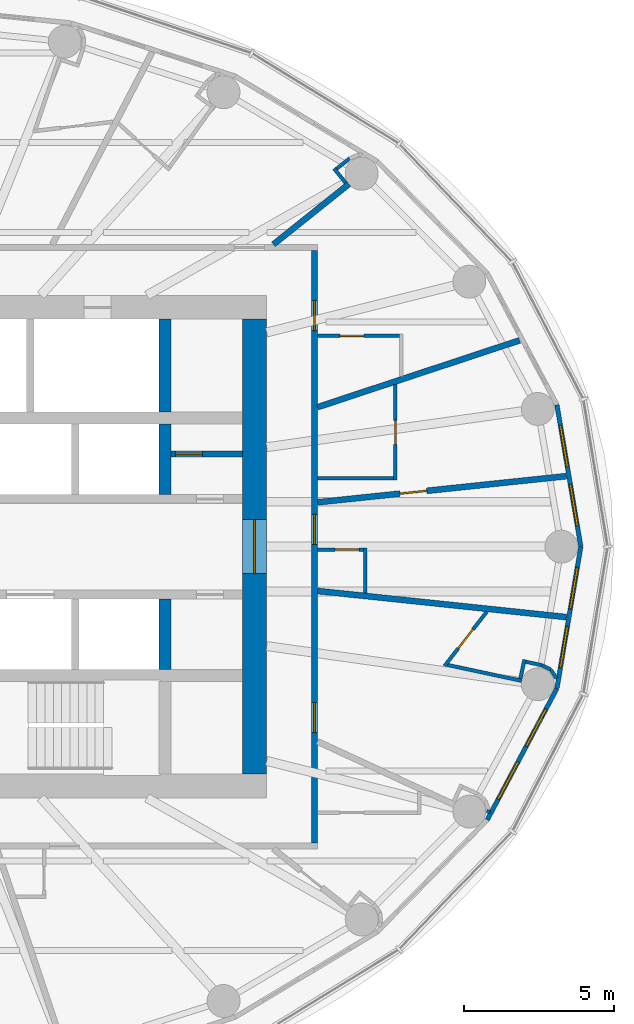
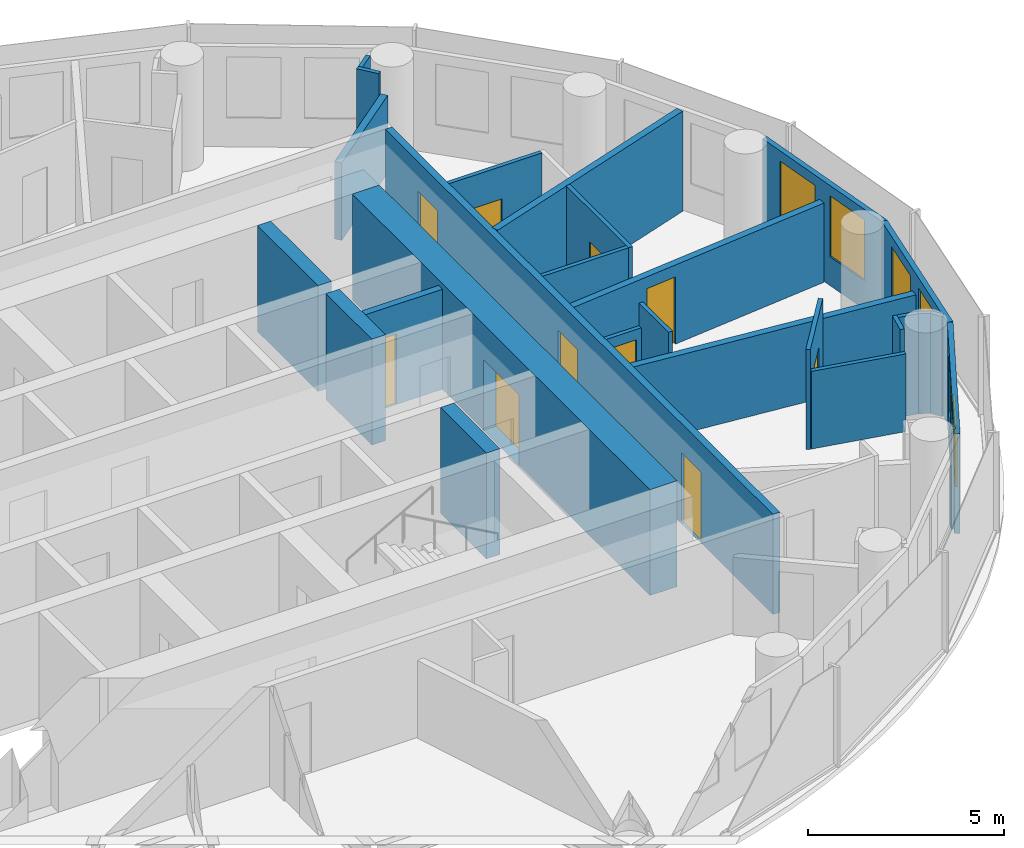
# One storey, part 11 of 16: 27 walls, 10 doors, 6 windows, 16 openings.
"""IFC4 building model written with IfcOpenShell, lengths in metres."""

from ifc_helpers import new_model, si_unit, direction, frame, frame_2d, origin, place, context, subcontext, project, spatial, rectangle, extrude, material, layer, layer_set, type_object, element, fill, save


model = new_model("IFC4")

# Units and contexts
model_context = context("Model", 3, precision=1e-05, world=origin(), true_north=direction((0.0, 1.0)))
body_context = subcontext(model_context, "Body", "Model", "MODEL_VIEW")
ifc_project = project(units=[si_unit("LENGTHUNIT", "METRE"), si_unit("AREAUNIT", "SQUARE_METRE"), si_unit("VOLUMEUNIT", "CUBIC_METRE"), si_unit("PLANEANGLEUNIT", "RADIAN"), si_unit("MASSUNIT", "GRAM", prefix="KILO")], contexts=[model_context])

# Site, building, storey
site_placement = place(None, origin())
site = spatial("IfcSite", under=ifc_project, at=site_placement, CompositionType="ELEMENT")
building_placement = place(site_placement, origin())
building = spatial("IfcBuilding", under=site, at=building_placement, Name="Hankou Lantern Tower", CompositionType="ELEMENT")
storey_placement = place(building_placement, frame((0.0, 0.0, 169.800048828125)))
storey = spatial("IfcBuildingStorey", under=building, at=storey_placement, Name="L45", CompositionType="ELEMENT", Elevation=169.800048828125)

# Wall, opening, door
ifc_material_1 = material(Name="Concrete C60", Category="concrete")
ifc_layer_1 = layer(ifc_material_1, 0.800048828125)
ifc_layer_set_1 = layer_set([ifc_layer_1], Name="Concrete C60")
wall_type_1 = type_object("IfcWallType", Name="CW2 CORE WALL 800", PredefinedType="SHEAR", material=ifc_layer_set_1)
wall_1_placement = place(storey_placement, frame((12.0, -7.60009765625, 0.0), z_axis=(0.0, 0.0, 1.0), x_axis=(0.0, 1.0, 0.0)))
wall_1 = element("IfcWall", 1, at=wall_1_placement, inside=storey, type_object=wall_type_1, Name="Core wall east L45", PredefinedType="SHEAR", context=body_context, shape_type="SweptSolid", body=[
    extrude(rectangle(XDim=15.2001953125, YDim=0.800048828125, at=frame_2d((7.60009765625, 0.0))), origin(), (0.0, 0.0, 1.0), 3.300048828125),
])
opening_1_placement = place(wall_1_placement, frame((6.699951171875, 0.0, 0.0)))
opening_1 = element("IfcOpeningElement", 2, at=opening_1_placement, cuts=wall_1, Name="Opening D6", PredefinedType="OPENING", context=body_context, shape_type="SweptSolid", body=[
    extrude(rectangle(XDim=1.800048828125, YDim=2.199951171875, at=frame_2d((0.89990234375, 1.10009765625))), frame((0.0, 0.409912109375, 0.0), z_axis=(0.0, -1.0, 0.0), x_axis=(1.0, 0.0, 0.0)), (0.0, 0.0, 1.0), 0.820068359375),
])
ifc_material_2 = material(Name="Steel door leaf", Category="steel")
door_type_1 = type_object("IfcDoorType", Name="D6 LIFT LOBBY DOOR 1800X2200", OperationType="DOUBLE_DOOR_DOUBLE_SWING", PredefinedType="DOOR", material=ifc_material_2)
door_1_placement = place(opening_1_placement, origin())
door_1 = element("IfcDoor", 3, at=door_1_placement, inside=storey, type_object=door_type_1, Name="Lift lobby east door", OperationType="DOUBLE_DOOR_DOUBLE_SWING", OverallHeight=2.199951171875, OverallWidth=1.800048828125, PredefinedType="DOOR", context=body_context, shape_type="SweptSolid", body=[
    extrude(rectangle(XDim=1.800048828125, YDim=2.199951171875, at=frame_2d((0.89990234375, 1.10009765625))), frame((0.0, 0.02490234375, 0.0), z_axis=(0.0, -1.0, 0.0), x_axis=(1.0, 0.0, 0.0)), (0.0, 0.0, 1.0), 0.050048828125),
])
fill(opening_1, door_1)

# Walls
ifc_material_3 = material(Name="Concrete C60", Category="concrete")
ifc_layer_2 = layer(ifc_material_3, 0.39990234375)
ifc_layer_set_2 = layer_set([ifc_layer_2], Name="Concrete C60")
wall_type_2 = type_object("IfcWallType", Name="CW4 CORE CROSS WALL 400", PredefinedType="SHEAR", material=ifc_layer_set_2)
wall_2_placement = place(storey_placement, frame((9.0, 4.5, 0.0), z_axis=(0.0, 0.0, 1.0), x_axis=(0.0, 1.0, 0.0)))
element("IfcWall", 4, at=wall_2_placement, inside=storey, type_object=wall_type_2, Name="Core strip wall L45", PredefinedType="SHEAR", context=body_context, shape_type="SweptSolid", body=[
    extrude(rectangle(XDim=3.10009765625, YDim=0.39990234375, at=frame_2d((1.550048828125, 0.0))), origin(), (0.0, 0.0, 1.0), 3.300048828125),
])
for number, where, z_axis, x_axis, name in (
    (5, (9.0, 1.75, 0.0), (0.0, 0.0, 1.0), (0.0, 1.0, 0.0), "Core strip wall L45"),
    (6, (9.0, -4.10009765625, 0.0), (0.0, 0.0, 1.0), (0.0, 1.0, 0.0), "Core strip wall L45"),
):
    element("IfcWall", number, at=place(storey_placement, frame(where, z_axis=z_axis, x_axis=x_axis)), inside=storey, type_object=wall_type_2, Name=name, PredefinedType="SHEAR", context=body_context, shape_type="SweptSolid", body=[
        extrude(rectangle(XDim=2.35009765625, YDim=0.39990234375, at=frame_2d((1.175048828125, 0.0))), origin(), (0.0, 0.0, 1.0), 3.300048828125),
    ])

# Wall, openings, windows
ifc_material_4 = material(Name="Aluminium spandrel panel on steel studs", Category="steel")
ifc_layer_3 = layer(ifc_material_4, 0.14990234375)
ifc_layer_set_3 = layer_set([ifc_layer_3], Name="Aluminium spandrel panel on steel studs")
wall_type_3 = type_object("IfcWallType", Name="EW1 INNER SKIN WALL 150", PredefinedType="ELEMENTEDWALL", material=ifc_layer_set_3)
wall_3_placement = place(storey_placement, frame((22.89990234375, 0.0, 0.0), z_axis=(0.0, 0.0, 1.0), x_axis=(-0.166162111254, 0.986098449843, 0.0)))
wall_3 = element("IfcWall", 7, at=wall_3_placement, inside=storey, type_object=wall_type_3, Name="Inner skin R01-R02 L45", PredefinedType="ELEMENTEDWALL", context=body_context, shape_type="SweptSolid", body=[
    extrude(rectangle(XDim=4.8046875, YDim=0.14990234375, at=frame_2d((2.40234375, 0.0))), origin(), (0.0, 0.0, 1.0), 3.119873046875),
])
opening_2_placement = place(wall_3_placement, frame((0.7021484375, 0.0, 0.89990234375)))
opening_2 = element("IfcOpeningElement", 8, at=opening_2_placement, cuts=wall_3, Name="Opening W3", PredefinedType="OPENING", context=body_context, shape_type="SweptSolid", body=[
    extrude(rectangle(XDim=1.39990234375, YDim=1.89990234375, at=frame_2d((0.699951171875, 0.949951171875))), frame((0.0, 0.0849609375, 0.0), z_axis=(0.0, -1.0, 0.0), x_axis=(1.0, 0.0, 0.0)), (0.0, 0.0, 1.0), 0.169921875),
])
opening_3_placement = place(wall_3_placement, frame((2.7021484375, 0.0, 0.89990234375)))
opening_3 = element("IfcOpeningElement", 9, at=opening_3_placement, cuts=wall_3, Name="Opening W3", PredefinedType="OPENING", context=body_context, shape_type="SweptSolid", body=[
    extrude(rectangle(XDim=1.39990234375, YDim=1.89990234375, at=frame_2d((0.699951171875, 0.949951171875))), frame((0.0, 0.0849609375, 0.0), z_axis=(0.0, -1.0, 0.0), x_axis=(1.0, 0.0, 0.0)), (0.0, 0.0, 1.0), 0.169921875),
])
ifc_material_5 = material(Name="Aluminium framed double glazed window", Category="aluminium")
window_type = type_object("IfcWindowType", Name="W3 GUEST ROOM WINDOW 1400X1900", PartitioningType="DOUBLE_PANEL_VERTICAL", PredefinedType="WINDOW", material=ifc_material_5)
window_1_placement = place(opening_2_placement, origin())
window_1 = element("IfcWindow", 10, at=window_1_placement, inside=storey, type_object=window_type, Name="Window R01.1 L45", OverallHeight=1.89990234375, OverallWidth=1.39990234375, PartitioningType="SINGLE_PANEL", PredefinedType="WINDOW", context=body_context, shape_type="SweptSolid", body=[
    extrude(rectangle(XDim=1.39990234375, YDim=1.89990234375, at=frame_2d((0.699951171875, 0.949951171875))), frame((0.0, 0.030029296875, 0.0), z_axis=(0.0, -1.0, 0.0), x_axis=(1.0, 0.0, 0.0)), (0.0, 0.0, 1.0), 0.06005859375),
])
fill(opening_2, window_1)
window_2_placement = place(opening_3_placement, origin())
window_2 = element("IfcWindow", 11, at=window_2_placement, inside=storey, type_object=window_type, Name="Window R01.2 L45", OverallHeight=1.89990234375, OverallWidth=1.39990234375, PartitioningType="SINGLE_PANEL", PredefinedType="WINDOW", context=body_context, shape_type="SweptSolid", body=[
    extrude(rectangle(XDim=1.39990234375, YDim=1.89990234375, at=frame_2d((0.699951171875, 0.949951171875))), frame((0.0, 0.030029296875, 0.0), z_axis=(0.0, -1.0, 0.0), x_axis=(1.0, 0.0, 0.0)), (0.0, 0.0, 1.0), 0.06005859375),
])
fill(opening_3, window_2)

wall_4_placement = place(storey_placement, frame((19.771728515625, -9.132080078125, 0.0), z_axis=(0.0, 0.0, 1.0), x_axis=(0.468428906714, 0.883501193748, 0.0)))
wall_4 = element("IfcWall", 12, at=wall_4_placement, inside=storey, type_object=wall_type_3, Name="Inner skin R23-R24 L45", PredefinedType="ELEMENTEDWALL", context=body_context, shape_type="SweptSolid", body=[
    extrude(rectangle(XDim=4.9736328125, YDim=0.14990234375, at=frame_2d((2.48681640625, 0.0))), origin(), (0.0, 0.0, 1.0), 3.119873046875),
])
opening_4_placement = place(wall_4_placement, frame((0.786865234375, 0.0, 0.89990234375)))
opening_4 = element("IfcOpeningElement", 13, at=opening_4_placement, cuts=wall_4, Name="Opening W3", PredefinedType="OPENING", context=body_context, shape_type="SweptSolid", body=[
    extrude(rectangle(XDim=1.39990234375, YDim=1.89990234375, at=frame_2d((0.699951171875, 0.949951171875))), frame((0.0, 0.0849609375, 0.0), z_axis=(0.0, -1.0, 0.0), x_axis=(1.0, 0.0, 0.0)), (0.0, 0.0, 1.0), 0.169921875),
])
opening_5_placement = place(wall_4_placement, frame((2.786865234375, 0.0, 0.89990234375)))
opening_5 = element("IfcOpeningElement", 14, at=opening_5_placement, cuts=wall_4, Name="Opening W3", PredefinedType="OPENING", context=body_context, shape_type="SweptSolid", body=[
    extrude(rectangle(XDim=1.39990234375, YDim=1.89990234375, at=frame_2d((0.699951171875, 0.949951171875))), frame((0.0, 0.0849609375, 0.0), z_axis=(0.0, -1.0, 0.0), x_axis=(1.0, 0.0, 0.0)), (0.0, 0.0, 1.0), 0.169921875),
])
window_3_placement = place(opening_4_placement, origin())
window_3 = element("IfcWindow", 15, at=window_3_placement, inside=storey, type_object=window_type, Name="Window R23.1 L45", OverallHeight=1.89990234375, OverallWidth=1.39990234375, PartitioningType="SINGLE_PANEL", PredefinedType="WINDOW", context=body_context, shape_type="SweptSolid", body=[
    extrude(rectangle(XDim=1.39990234375, YDim=1.89990234375, at=frame_2d((0.699951171875, 0.949951171875))), frame((0.0, 0.030029296875, 0.0), z_axis=(0.0, -1.0, 0.0), x_axis=(1.0, 0.0, 0.0)), (0.0, 0.0, 1.0), 0.06005859375),
])
fill(opening_4, window_3)
window_4_placement = place(opening_5_placement, origin())
window_4 = element("IfcWindow", 16, at=window_4_placement, inside=storey, type_object=window_type, Name="Window R23.2 L45", OverallHeight=1.89990234375, OverallWidth=1.39990234375, PartitioningType="SINGLE_PANEL", PredefinedType="WINDOW", context=body_context, shape_type="SweptSolid", body=[
    extrude(rectangle(XDim=1.39990234375, YDim=1.89990234375, at=frame_2d((0.699951171875, 0.949951171875))), frame((0.0, 0.030029296875, 0.0), z_axis=(0.0, -1.0, 0.0), x_axis=(1.0, 0.0, 0.0)), (0.0, 0.0, 1.0), 0.06005859375),
])
fill(opening_5, window_4)

wall_5_placement = place(storey_placement, frame((22.1015625, -4.73779296875, 0.0), z_axis=(0.0, 0.0, 1.0), x_axis=(0.166162111254, 0.986098449843, 0.0)))
wall_5 = element("IfcWall", 17, at=wall_5_placement, inside=storey, type_object=wall_type_3, Name="Inner skin R24-R01 L45", PredefinedType="ELEMENTEDWALL", context=body_context, shape_type="SweptSolid", body=[
    extrude(rectangle(XDim=4.8046875, YDim=0.14990234375, at=frame_2d((2.40234375, 0.0))), origin(), (0.0, 0.0, 1.0), 3.119873046875),
])
opening_6_placement = place(wall_5_placement, frame((0.7021484375, 0.0, 0.89990234375)))
opening_6 = element("IfcOpeningElement", 18, at=opening_6_placement, cuts=wall_5, Name="Opening W3", PredefinedType="OPENING", context=body_context, shape_type="SweptSolid", body=[
    extrude(rectangle(XDim=1.39990234375, YDim=1.89990234375, at=frame_2d((0.699951171875, 0.949951171875))), frame((0.0, 0.0849609375, 0.0), z_axis=(0.0, -1.0, 0.0), x_axis=(1.0, 0.0, 0.0)), (0.0, 0.0, 1.0), 0.169921875),
])
opening_7_placement = place(wall_5_placement, frame((2.7021484375, 0.0, 0.89990234375)))
opening_7 = element("IfcOpeningElement", 19, at=opening_7_placement, cuts=wall_5, Name="Opening W3", PredefinedType="OPENING", context=body_context, shape_type="SweptSolid", body=[
    extrude(rectangle(XDim=1.39990234375, YDim=1.89990234375, at=frame_2d((0.699951171875, 0.949951171875))), frame((0.0, 0.0849609375, 0.0), z_axis=(0.0, -1.0, 0.0), x_axis=(1.0, 0.0, 0.0)), (0.0, 0.0, 1.0), 0.169921875),
])
window_5_placement = place(opening_6_placement, origin())
window_5 = element("IfcWindow", 20, at=window_5_placement, inside=storey, type_object=window_type, Name="Window R24.1 L45", OverallHeight=1.89990234375, OverallWidth=1.39990234375, PartitioningType="SINGLE_PANEL", PredefinedType="WINDOW", context=body_context, shape_type="SweptSolid", body=[
    extrude(rectangle(XDim=1.39990234375, YDim=1.89990234375, at=frame_2d((0.699951171875, 0.949951171875))), frame((0.0, 0.030029296875, 0.0), z_axis=(0.0, -1.0, 0.0), x_axis=(1.0, 0.0, 0.0)), (0.0, 0.0, 1.0), 0.06005859375),
])
fill(opening_6, window_5)
window_6_placement = place(opening_7_placement, origin())
window_6 = element("IfcWindow", 21, at=window_6_placement, inside=storey, type_object=window_type, Name="Window R24.2 L45", OverallHeight=1.89990234375, OverallWidth=1.39990234375, PartitioningType="SINGLE_PANEL", PredefinedType="WINDOW", context=body_context, shape_type="SweptSolid", body=[
    extrude(rectangle(XDim=1.39990234375, YDim=1.89990234375, at=frame_2d((0.699951171875, 0.949951171875))), frame((0.0, 0.030029296875, 0.0), z_axis=(0.0, -1.0, 0.0), x_axis=(1.0, 0.0, 0.0)), (0.0, 0.0, 1.0), 0.06005859375),
])
fill(opening_7, window_6)

# Walls
ifc_material_6 = material(Name="Masonry lightweight concrete block", Category="masonry")
ifc_layer_4 = layer(ifc_material_6, 0.199951171875)
ifc_layer_set_4 = layer_set([ifc_layer_4], Name="Masonry lightweight concrete block")
wall_type_4 = type_object("IfcWallType", Name="IW1 GUEST ROOM PARTY WALL 200", PredefinedType="PARTITIONING", material=ifc_layer_set_4)
wall_6_placement = place(storey_placement, frame((14.10009765625, 4.661376953125, 0.0), z_axis=(0.0, 0.0, 1.0), x_axis=(0.949453216399, 0.313908569285, 0.0)))
element("IfcWall", 22, at=wall_6_placement, inside=storey, type_object=wall_type_4, Name="Party wall R02-R03", PredefinedType="PARTITIONING", context=body_context, shape_type="SweptSolid", body=[
    extrude(rectangle(XDim=7.108642578125, YDim=0.199951171875, at=frame_2d((3.55419921875, 0.0))), origin(), (0.0, 0.0, 1.0), 3.119873046875),
])
wall_7_placement = place(storey_placement, frame((12.625, 10.10009765625, 0.0), z_axis=(0.0, 0.0, 1.0), x_axis=(0.780876185034, 0.624685827954, 0.0)))
element("IfcWall", 23, at=wall_7_placement, inside=storey, type_object=wall_type_4, Name="Party wall R04", PredefinedType="PARTITIONING", context=body_context, shape_type="SweptSolid", body=[
    extrude(rectangle(XDim=3.229248046875, YDim=0.199951171875, at=frame_2d((1.61474609375, 0.0))), origin(), (0.0, 0.0, 1.0), 2.419921875),
])
wall_8_placement = place(storey_placement, frame((14.10009765625, -1.4814453125, 0.0), z_axis=(0.0, 0.0, 1.0), x_axis=(0.994524794819, -0.104500873159, 0.0)))
element("IfcWall", 24, at=wall_8_placement, inside=storey, type_object=wall_type_4, Name="Party wall R24-R01", PredefinedType="PARTITIONING", context=body_context, shape_type="SweptSolid", body=[
    extrude(rectangle(XDim=8.361572265625, YDim=0.199951171875, at=frame_2d((4.1806640625, 0.0))), origin(), (0.0, 0.0, 1.0), 2.469970703125),
])

# Wall, openings, doors
ifc_material_7 = material(Name="Masonry lightweight concrete block", Category="masonry")
ifc_layer_5 = layer(ifc_material_7, 0.199951171875)
ifc_layer_set_5 = layer_set([ifc_layer_5], Name="Masonry lightweight concrete block")
wall_type_5 = type_object("IfcWallType", Name="IW2 CORRIDOR WALL 200", PredefinedType="PARTITIONING", material=ifc_layer_set_5)
wall_9_placement = place(storey_placement, frame((14.0, -9.89990234375, 0.0), z_axis=(0.0, 0.0, 1.0), x_axis=(0.0, 1.0, 0.0)))
wall_9 = element("IfcWall", 25, at=wall_9_placement, inside=storey, type_object=wall_type_5, Name="Corridor wall east", PredefinedType="PARTITIONING", context=body_context, shape_type="SweptSolid", body=[
    extrude(rectangle(XDim=19.7998046875, YDim=0.199951171875, at=frame_2d((9.89990234375, 0.0))), origin(), (0.0, 0.0, 1.0), 3.119873046875),
])
opening_8_placement = place(wall_9_placement, frame((3.6875, 0.0, 0.0)))
opening_8 = element("IfcOpeningElement", 26, at=opening_8_placement, cuts=wall_9, Name="Opening D1", PredefinedType="OPENING", context=body_context, shape_type="SweptSolid", body=[
    extrude(rectangle(XDim=1.0, YDim=2.199951171875, at=frame_2d((0.5, 1.10009765625))), frame((0.0, 0.10986328125, 0.0), z_axis=(0.0, -1.0, 0.0), x_axis=(1.0, 0.0, 0.0)), (0.0, 0.0, 1.0), 0.219970703125),
])
opening_9_placement = place(wall_9_placement, frame((9.978515625, 0.0, 0.0)))
opening_9 = element("IfcOpeningElement", 27, at=opening_9_placement, cuts=wall_9, Name="Opening D2", PredefinedType="OPENING", context=body_context, shape_type="SweptSolid", body=[
    extrude(rectangle(XDim=1.0, YDim=2.199951171875, at=frame_2d((0.5, 1.10009765625))), frame((0.0, 0.10986328125, 0.0), z_axis=(0.0, -1.0, 0.0), x_axis=(1.0, 0.0, 0.0)), (0.0, 0.0, 1.0), 0.219970703125),
])
opening_10_placement = place(wall_9_placement, frame((17.12158203125, 0.0, 0.0)))
opening_10 = element("IfcOpeningElement", 28, at=opening_10_placement, cuts=wall_9, Name="Opening D1", PredefinedType="OPENING", context=body_context, shape_type="SweptSolid", body=[
    extrude(rectangle(XDim=1.0, YDim=2.199951171875, at=frame_2d((0.5, 1.10009765625))), frame((0.0, 0.10986328125, 0.0), z_axis=(0.0, -1.0, 0.0), x_axis=(1.0, 0.0, 0.0)), (0.0, 0.0, 1.0), 0.219970703125),
])
ifc_material_8 = material(Name="Steel door leaf", Category="steel")
door_type_2 = type_object("IfcDoorType", Name="D1 GUEST ROOM DOOR 1000X2200", OperationType="SINGLE_SWING_LEFT", PredefinedType="DOOR", material=ifc_material_8)
door_2_placement = place(opening_8_placement, origin())
door_2 = element("IfcDoor", 29, at=door_2_placement, inside=storey, type_object=door_type_2, Name="Guest room door 4504", OperationType="SINGLE_SWING_LEFT", OverallHeight=2.199951171875, OverallWidth=1.0, PredefinedType="DOOR", context=body_context, shape_type="SweptSolid", body=[
    extrude(rectangle(XDim=1.0, YDim=2.199951171875, at=frame_2d((0.5, 1.10009765625))), frame((0.0, 0.02490234375, 0.0), z_axis=(0.0, -1.0, 0.0), x_axis=(1.0, 0.0, 0.0)), (0.0, 0.0, 1.0), 0.050048828125),
])
fill(opening_8, door_2)
door_3_placement = place(opening_10_placement, origin())
door_3 = element("IfcDoor", 30, at=door_3_placement, inside=storey, type_object=door_type_2, Name="Guest room door 4506", OperationType="SINGLE_SWING_RIGHT", OverallHeight=2.199951171875, OverallWidth=1.0, PredefinedType="DOOR", context=body_context, shape_type="SweptSolid", body=[
    extrude(rectangle(XDim=1.0, YDim=2.199951171875, at=frame_2d((0.5, 1.10009765625))), frame((0.0, 0.02490234375, 0.0), z_axis=(0.0, -1.0, 0.0), x_axis=(1.0, 0.0, 0.0)), (0.0, 0.0, 1.0), 0.050048828125),
])
fill(opening_10, door_3)
ifc_material_9 = material(Name="Steel door leaf", Category="steel")
door_type_3 = type_object("IfcDoorType", Name="D2 SUITE DOOR 1000X2200", OperationType="SINGLE_SWING_LEFT", PredefinedType="DOOR", material=ifc_material_9)
door_4_placement = place(opening_9_placement, origin())
door_4 = element("IfcDoor", 31, at=door_4_placement, inside=storey, type_object=door_type_3, Name="Suite door 4505C", OperationType="SINGLE_SWING_RIGHT", OverallHeight=2.199951171875, OverallWidth=1.0, PredefinedType="DOOR", context=body_context, shape_type="SweptSolid", body=[
    extrude(rectangle(XDim=1.0, YDim=2.199951171875, at=frame_2d((0.5, 1.10009765625))), frame((0.0, 0.02490234375, 0.0), z_axis=(0.0, -1.0, 0.0), x_axis=(1.0, 0.0, 0.0)), (0.0, 0.0, 1.0), 0.050048828125),
])
fill(opening_9, door_4)

# Wall, opening, door
ifc_material_10 = material(Name="Masonry lightweight concrete block", Category="masonry")
ifc_layer_6 = layer(ifc_material_10, 0.1201171875)
ifc_layer_set_6 = layer_set([ifc_layer_6], Name="Masonry lightweight concrete block")
wall_type_6 = type_object("IfcWallType", Name="IW3 BATHROOM WALL 120", PredefinedType="PARTITIONING", material=ifc_layer_set_6)
wall_10_placement = place(storey_placement, frame((19.757568359375, -2.176513671875, 0.0), z_axis=(0.0, 0.0, 1.0), x_axis=(-0.614713147302, -0.788750750576, 0.0)))
wall_10 = element("IfcWall", 32, at=wall_10_placement, inside=storey, type_object=wall_type_6, Name="Box wall 4504 1", PredefinedType="PARTITIONING", context=body_context, shape_type="SweptSolid", body=[
    extrude(rectangle(XDim=2.29638671875, YDim=0.1201171875, at=frame_2d((1.148193359375, 0.0))), origin(), (0.0, 0.0, 1.0), 3.119873046875),
])
opening_11_placement = place(wall_10_placement, frame((0.748291015625, 0.0, 0.0)))
opening_11 = element("IfcOpeningElement", 33, at=opening_11_placement, cuts=wall_10, Name="Opening D3", PredefinedType="OPENING", context=body_context, shape_type="SweptSolid", body=[
    extrude(rectangle(XDim=0.800048828125, YDim=2.10009765625, at=frame_2d((0.39990234375, 1.050048828125))), frame((0.0, 0.070068359375, 0.0), z_axis=(0.0, -1.0, 0.0), x_axis=(1.0, 0.0, 0.0)), (0.0, 0.0, 1.0), 0.14013671875),
])
ifc_material_11 = material(Name="Timber door leaf", Category="wood")
door_type_4 = type_object("IfcDoorType", Name="D3 BATHROOM DOOR 800X2100", OperationType="SINGLE_SWING_LEFT", PredefinedType="DOOR", material=ifc_material_11)
door_5_placement = place(opening_11_placement, origin())
door_5 = element("IfcDoor", 34, at=door_5_placement, inside=storey, type_object=door_type_4, Name="En-suite bathroom 4504 door", OperationType="SINGLE_SWING_RIGHT", OverallHeight=2.10009765625, OverallWidth=0.800048828125, PredefinedType="DOOR", context=body_context, shape_type="SweptSolid", body=[
    extrude(rectangle(XDim=0.800048828125, YDim=2.10009765625, at=frame_2d((0.39990234375, 1.050048828125))), frame((0.0, 0.02490234375, 0.0), z_axis=(0.0, -1.0, 0.0), x_axis=(1.0, 0.0, 0.0)), (0.0, 0.0, 1.0), 0.050048828125),
])
fill(opening_11, door_5)

# Walls
wall_11_placement = place(storey_placement, frame((18.44140625, -3.953125, 0.0), z_axis=(0.0, 0.0, 1.0), x_axis=(0.977801007461, -0.209535652833, 0.0)))
element("IfcWall", 35, at=wall_11_placement, inside=storey, type_object=wall_type_6, Name="Box wall 4504 2", PredefinedType="PARTITIONING", context=body_context, shape_type="SweptSolid", body=[
    extrude(rectangle(XDim=2.5400390625, YDim=0.1201171875, at=frame_2d((1.27001953125, 0.0))), origin(), (0.0, 0.0, 1.0), 2.419921875),
])
wall_12_placement = place(storey_placement, frame((20.87890625, -4.414306640625, 0.0), z_axis=(0.0, 0.0, 1.0), x_axis=(0.209554644104, 0.977796937577, 0.0)))
element("IfcWall", 36, at=wall_12_placement, inside=storey, type_object=wall_type_6, Name="Column casing 4504 return", PredefinedType="PARTITIONING", context=body_context, shape_type="SweptSolid", body=[
    extrude(rectangle(XDim=0.65234375, YDim=0.1201171875, at=frame_2d((0.326171875, 0.0))), origin(), (0.0, 0.0, 1.0), 3.119873046875),
])
wall_13_placement = place(storey_placement, frame((21.061767578125, -3.84765625, 0.0), z_axis=(0.0, 0.0, 1.0), x_axis=(0.977789415726, -0.209589738521, 0.0)))
element("IfcWall", 37, at=wall_13_placement, inside=storey, type_object=wall_type_6, Name="Column casing 4504", PredefinedType="PARTITIONING", context=body_context, shape_type="SweptSolid", body=[
    extrude(rectangle(XDim=0.5498046875, YDim=0.1201171875, at=frame_2d((0.27490234375, 0.0))), origin(), (0.0, 0.0, 1.0), 3.119873046875),
])
wall_14_placement = place(storey_placement, frame((21.599365234375, -3.962890625, 0.0), z_axis=(0.0, 0.0, 1.0), x_axis=(0.890193602875, -0.455582428766, 0.0)))
element("IfcWall", 38, at=wall_14_placement, inside=storey, type_object=wall_type_6, Name="Column casing 4504", PredefinedType="PARTITIONING", context=body_context, shape_type="SweptSolid", body=[
    extrude(rectangle(XDim=0.337646484375, YDim=0.1201171875, at=frame_2d((0.1689453125, 0.0))), origin(), (0.0, 0.0, 1.0), 3.119873046875),
])
wall_15_placement = place(storey_placement, frame((21.89990234375, -4.11669921875, 0.0), z_axis=(0.0, 0.0, 1.0), x_axis=(0.543582688681, -0.839355622228, 0.0)))
element("IfcWall", 39, at=wall_15_placement, inside=storey, type_object=wall_type_6, Name="Column casing 4504", PredefinedType="PARTITIONING", context=body_context, shape_type="SweptSolid", body=[
    extrude(rectangle(XDim=0.3359375, YDim=0.1201171875, at=frame_2d((0.16796875, 0.0))), origin(), (0.0, 0.0, 1.0), 3.119873046875),
])
wall_16_placement = place(storey_placement, frame((15.699951171875, -1.549560546875, 0.0), z_axis=(0.0, 0.0, 1.0), x_axis=(0.0, 1.0, 0.0)))
element("IfcWall", 40, at=wall_16_placement, inside=storey, type_object=wall_type_6, Name="Box wall 4505C 1", PredefinedType="PARTITIONING", context=body_context, shape_type="SweptSolid", body=[
    extrude(rectangle(XDim=1.508056640625, YDim=0.1201171875, at=frame_2d((0.75390625, 0.0))), origin(), (0.0, 0.0, 1.0), 3.119873046875),
])

# Wall, opening, door
wall_17_placement = place(storey_placement, frame((14.10009765625, -0.1015625, 0.0), z_axis=(0.0, 0.0, 1.0), x_axis=(1.0, 0.0, 0.0)))
wall_17 = element("IfcWall", 41, at=wall_17_placement, inside=storey, type_object=wall_type_6, Name="Box wall 4505C 1", PredefinedType="PARTITIONING", context=body_context, shape_type="SweptSolid", body=[
    extrude(rectangle(XDim=1.539794921875, YDim=0.1201171875, at=frame_2d((0.77001953125, 0.0))), origin(), (0.0, 0.0, 1.0), 2.419921875),
])
opening_12_placement = place(wall_17_placement, frame((0.590087890625, 0.0, 0.0)))
opening_12 = element("IfcOpeningElement", 42, at=opening_12_placement, cuts=wall_17, Name="Opening D3", PredefinedType="OPENING", context=body_context, shape_type="SweptSolid", body=[
    extrude(rectangle(XDim=0.800048828125, YDim=2.10009765625, at=frame_2d((0.39990234375, 1.050048828125))), frame((0.0, 0.070068359375, 0.0), z_axis=(0.0, -1.0, 0.0), x_axis=(1.0, 0.0, 0.0)), (0.0, 0.0, 1.0), 0.14013671875),
])
door_6_placement = place(opening_12_placement, origin())
door_6 = element("IfcDoor", 43, at=door_6_placement, inside=storey, type_object=door_type_4, Name="Suite 4505 guest WC door", OperationType="SINGLE_SWING_LEFT", OverallHeight=2.10009765625, OverallWidth=0.800048828125, PredefinedType="DOOR", context=body_context, shape_type="SweptSolid", body=[
    extrude(rectangle(XDim=0.800048828125, YDim=2.10009765625, at=frame_2d((0.39990234375, 1.050048828125))), frame((0.0, 0.02490234375, 0.0), z_axis=(0.0, -1.0, 0.0), x_axis=(1.0, 0.0, 0.0)), (0.0, 0.0, 1.0), 0.050048828125),
])
fill(opening_12, door_6)

wall_18_placement = place(storey_placement, frame((16.699951171875, 5.421142578125, 0.0), z_axis=(0.0, 0.0, 1.0), x_axis=(0.0, -1.0, 0.0)))
wall_18 = element("IfcWall", 44, at=wall_18_placement, inside=storey, type_object=wall_type_6, Name="Box wall 4505A 1", PredefinedType="PARTITIONING", context=body_context, shape_type="SweptSolid", body=[
    extrude(rectangle(XDim=3.19970703125, YDim=0.1201171875, at=frame_2d((1.599853515625, 0.0))), origin(), (0.0, 0.0, 1.0), 3.119873046875),
])
opening_13_placement = place(wall_18_placement, frame((1.19970703125, 0.0, 0.0)))
opening_13 = element("IfcOpeningElement", 45, at=opening_13_placement, cuts=wall_18, Name="Opening D3", PredefinedType="OPENING", context=body_context, shape_type="SweptSolid", body=[
    extrude(rectangle(XDim=0.800048828125, YDim=2.10009765625, at=frame_2d((0.39990234375, 1.050048828125))), frame((0.0, 0.070068359375, 0.0), z_axis=(0.0, -1.0, 0.0), x_axis=(1.0, 0.0, 0.0)), (0.0, 0.0, 1.0), 0.14013671875),
])
door_7_placement = place(opening_13_placement, origin())
door_7 = element("IfcDoor", 46, at=door_7_placement, inside=storey, type_object=door_type_4, Name="Suite 4505 bathroom door", OperationType="SINGLE_SWING_LEFT", OverallHeight=2.10009765625, OverallWidth=0.800048828125, PredefinedType="DOOR", context=body_context, shape_type="SweptSolid", body=[
    extrude(rectangle(XDim=0.800048828125, YDim=2.10009765625, at=frame_2d((0.39990234375, 1.050048828125))), frame((0.0, 0.02490234375, 0.0), z_axis=(0.0, -1.0, 0.0), x_axis=(1.0, 0.0, 0.0)), (0.0, 0.0, 1.0), 0.050048828125),
])
fill(opening_13, door_7)

# Wall
wall_19_placement = place(storey_placement, frame((14.10009765625, 2.281494140625, 0.0), z_axis=(0.0, 0.0, 1.0), x_axis=(1.0, 0.0, 0.0)))
element("IfcWall", 47, at=wall_19_placement, inside=storey, type_object=wall_type_6, Name="Box wall 4505A 1", PredefinedType="PARTITIONING", context=body_context, shape_type="SweptSolid", body=[
    extrude(rectangle(XDim=2.539794921875, YDim=0.1201171875, at=frame_2d((1.27001953125, 0.0))), origin(), (0.0, 0.0, 1.0), 3.119873046875),
])

# Wall, opening, door
wall_20_placement = place(storey_placement, frame((14.10009765625, 7.04150390625, 0.0), z_axis=(0.0, 0.0, 1.0), x_axis=(1.0, 0.0, 0.0)))
wall_20 = element("IfcWall", 48, at=wall_20_placement, inside=storey, type_object=wall_type_6, Name="Box wall 4506 1", PredefinedType="PARTITIONING", context=body_context, shape_type="SweptSolid", body=[
    extrude(rectangle(XDim=2.739990234375, YDim=0.1201171875, at=frame_2d((1.3701171875, 0.0))), origin(), (0.0, 0.0, 1.0), 3.119873046875),
])
opening_14_placement = place(wall_20_placement, frame((0.75, 0.0, 0.0)))
opening_14 = element("IfcOpeningElement", 49, at=opening_14_placement, cuts=wall_20, Name="Opening D3", PredefinedType="OPENING", context=body_context, shape_type="SweptSolid", body=[
    extrude(rectangle(XDim=0.800048828125, YDim=2.10009765625, at=frame_2d((0.39990234375, 1.050048828125))), frame((0.0, 0.070068359375, 0.0), z_axis=(0.0, -1.0, 0.0), x_axis=(1.0, 0.0, 0.0)), (0.0, 0.0, 1.0), 0.14013671875),
])
door_8_placement = place(opening_14_placement, origin())
door_8 = element("IfcDoor", 50, at=door_8_placement, inside=storey, type_object=door_type_4, Name="En-suite bathroom 4506 door", OperationType="SINGLE_SWING_LEFT", OverallHeight=2.10009765625, OverallWidth=0.800048828125, PredefinedType="DOOR", context=body_context, shape_type="SweptSolid", body=[
    extrude(rectangle(XDim=0.800048828125, YDim=2.10009765625, at=frame_2d((0.39990234375, 1.050048828125))), frame((0.0, 0.02490234375, 0.0), z_axis=(0.0, -1.0, 0.0), x_axis=(1.0, 0.0, 0.0)), (0.0, 0.0, 1.0), 0.050048828125),
])
fill(opening_14, door_8)

# Walls
ifc_material_12 = material(Name="Masonry lightweight concrete block", Category="masonry")
ifc_layer_7 = layer(ifc_material_12, 0.1201171875)
ifc_layer_set_7 = layer_set([ifc_layer_7], Name="Masonry lightweight concrete block")
wall_type_7 = type_object("IfcWallType", Name="IW4 PARTITION 120", PredefinedType="PARTITIONING", material=ifc_layer_set_7)
wall_21_placement = place(storey_placement, frame((15.037353515625, 12.157958984375, 0.0), z_axis=(0.0, 0.0, 1.0), x_axis=(-0.624840920722, 0.78075208856, 0.0)))
element("IfcWall", 51, at=wall_21_placement, inside=storey, type_object=wall_type_7, Name="Column casing R04 return", PredefinedType="PARTITIONING", context=body_context, shape_type="SweptSolid", body=[
    extrude(rectangle(XDim=0.6123046875, YDim=0.1201171875, at=frame_2d((0.30615234375, 0.0))), origin(), (0.0, 0.0, 1.0), 3.119873046875),
])
wall_22_placement = place(storey_placement, frame((14.7392578125, 12.626708984375, 0.0), z_axis=(0.0, 0.0, 1.0), x_axis=(0.780912119987, 0.624640905527, 0.0)))
element("IfcWall", 52, at=wall_22_placement, inside=storey, type_object=wall_type_7, Name="Column casing R04", PredefinedType="PARTITIONING", context=body_context, shape_type="SweptSolid", body=[
    extrude(rectangle(XDim=0.5498046875, YDim=0.1201171875, at=frame_2d((0.27490234375, 0.0))), origin(), (0.0, 0.0, 1.0), 3.119873046875),
])
wall_23_placement = place(storey_placement, frame((19.82177734375, -8.796142578125, 0.0), z_axis=(0.0, 0.0, 1.0), x_axis=(-0.169701508781, -0.985495508827, 0.0)))
element("IfcWall", 53, at=wall_23_placement, inside=storey, type_object=wall_type_7, Name="Column casing R23", PredefinedType="PARTITIONING", context=body_context, shape_type="SweptSolid", body=[
    extrude(rectangle(XDim=0.119384765625, YDim=0.1201171875, at=frame_2d((0.0595703125, 0.0))), origin(), (0.0, 0.0, 1.0), 3.119873046875),
])

# Wall, opening, door
ifc_material_13 = material(Name="Masonry lightweight concrete block", Category="masonry")
ifc_layer_8 = layer(ifc_material_13, 0.199951171875)
ifc_layer_set_8 = layer_set([ifc_layer_8], Name="Masonry lightweight concrete block")
wall_type_8 = type_object("IfcWallType", Name="IW6 SUITE PARTITION 200", PredefinedType="PARTITIONING", material=ifc_layer_set_8)
wall_24_placement = place(storey_placement, frame((14.10009765625, 1.4814453125, 0.0), z_axis=(0.0, 0.0, 1.0), x_axis=(0.994524794819, 0.104500873159, 0.0)))
wall_24 = element("IfcWall", 54, at=wall_24_placement, inside=storey, type_object=wall_type_8, Name="Suite partition R01-R02", PredefinedType="PARTITIONING", context=body_context, shape_type="SweptSolid", body=[
    extrude(rectangle(XDim=8.361572265625, YDim=0.199951171875, at=frame_2d((4.1806640625, 0.0))), origin(), (0.0, 0.0, 1.0), 2.469970703125),
])
opening_15_placement = place(wall_24_placement, frame((2.77001953125, 0.0, 0.0)))
opening_15 = element("IfcOpeningElement", 55, at=opening_15_placement, cuts=wall_24, Name="Opening D27", PredefinedType="OPENING", context=body_context, shape_type="SweptSolid", body=[
    extrude(rectangle(XDim=0.89990234375, YDim=2.10009765625, at=frame_2d((0.449951171875, 1.050048828125))), frame((0.0, 0.10986328125, 0.0), z_axis=(0.0, -1.0, 0.0), x_axis=(1.0, 0.0, 0.0)), (0.0, 0.0, 1.0), 0.219970703125),
])
ifc_material_14 = material(Name="Timber door leaf", Category="wood")
door_type_5 = type_object("IfcDoorType", Name="D27 INTERNAL DOOR 900X2100", OperationType="SINGLE_SWING_LEFT", PredefinedType="DOOR", material=ifc_material_14)
door_9_placement = place(opening_15_placement, origin())
door_9 = element("IfcDoor", 56, at=door_9_placement, inside=storey, type_object=door_type_5, Name="Suite 4505 bedroom door", OperationType="SINGLE_SWING_LEFT", OverallHeight=2.10009765625, OverallWidth=0.89990234375, PredefinedType="DOOR", context=body_context, shape_type="SweptSolid", body=[
    extrude(rectangle(XDim=0.89990234375, YDim=2.10009765625, at=frame_2d((0.449951171875, 1.050048828125))), frame((0.0, 0.02490234375, 0.0), z_axis=(0.0, -1.0, 0.0), x_axis=(1.0, 0.0, 0.0)), (0.0, 0.0, 1.0), 0.050048828125),
])
fill(opening_15, door_9)

ifc_material_15 = material(Name="Masonry lightweight concrete block", Category="masonry")
ifc_layer_9 = layer(ifc_material_15, 0.199951171875)
ifc_layer_set_9 = layer_set([ifc_layer_9], Name="Masonry lightweight concrete block")
wall_type_9 = type_object("IfcWallType", Name="IW8 PARTITION 200", PredefinedType="PARTITIONING", material=ifc_layer_set_9)
wall_25_placement = place(storey_placement, frame((9.199951171875, 3.10009765625, 0.0), z_axis=(0.0, 0.0, 1.0), x_axis=(1.0, 0.0, 0.0)))
wall_25 = element("IfcWall", 57, at=wall_25_placement, inside=storey, type_object=wall_type_9, Name="Partition staff locker room", PredefinedType="PARTITIONING", context=body_context, shape_type="SweptSolid", body=[
    extrude(rectangle(XDim=2.400146484375, YDim=0.199951171875, at=frame_2d((1.2001953125, 0.0))), origin(), (0.0, 0.0, 1.0), 3.119873046875),
])
opening_16_placement = place(wall_25_placement, frame((0.14990234375, 0.0, 0.0)))
opening_16 = element("IfcOpeningElement", 58, at=opening_16_placement, cuts=wall_25, Name="Opening D12", PredefinedType="OPENING", context=body_context, shape_type="SweptSolid", body=[
    extrude(rectangle(XDim=0.89990234375, YDim=2.199951171875, at=frame_2d((0.449951171875, 1.10009765625))), frame((0.0, 0.10986328125, 0.0), z_axis=(0.0, -1.0, 0.0), x_axis=(1.0, 0.0, 0.0)), (0.0, 0.0, 1.0), 0.219970703125),
])
ifc_material_16 = material(Name="Steel door leaf", Category="steel")
door_type_6 = type_object("IfcDoorType", Name="D12 STORE DOOR 900X2200", OperationType="SINGLE_SWING_LEFT", PredefinedType="DOOR", material=ifc_material_16)
door_10_placement = place(opening_16_placement, origin())
door_10 = element("IfcDoor", 59, at=door_10_placement, inside=storey, type_object=door_type_6, Name="Uniform cupboard door", OperationType="SINGLE_SWING_LEFT", OverallHeight=2.199951171875, OverallWidth=0.89990234375, PredefinedType="DOOR", context=body_context, shape_type="SweptSolid", body=[
    extrude(rectangle(XDim=0.89990234375, YDim=2.199951171875, at=frame_2d((0.449951171875, 1.10009765625))), frame((0.0, 0.02490234375, 0.0), z_axis=(0.0, -1.0, 0.0), x_axis=(1.0, 0.0, 0.0)), (0.0, 0.0, 1.0), 0.050048828125),
])
fill(opening_16, door_10)

save(model, "model.ifc")
